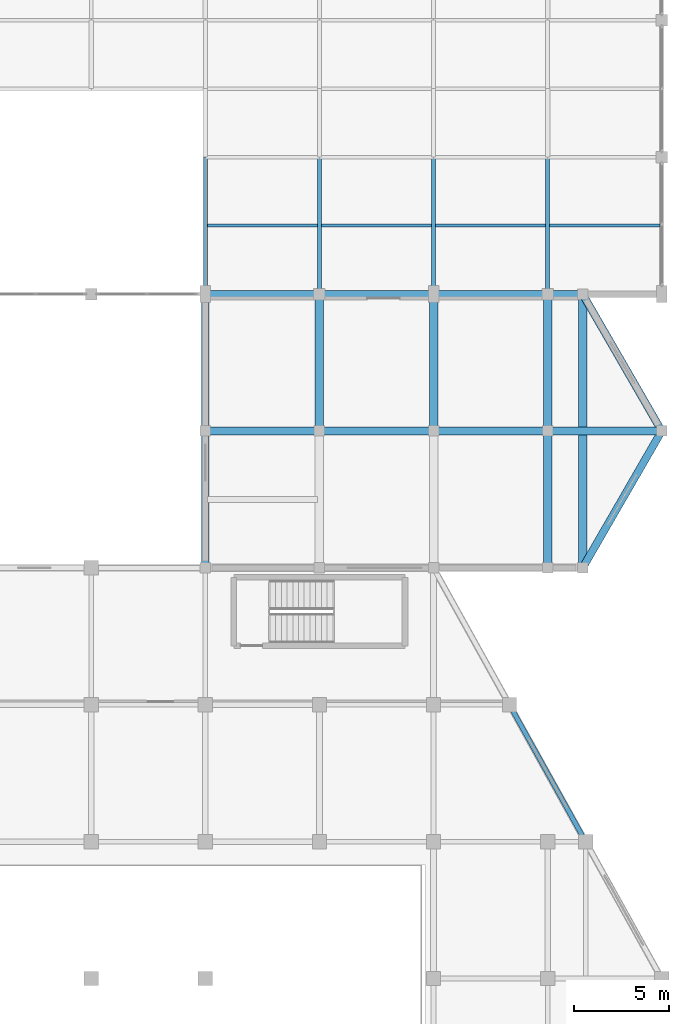
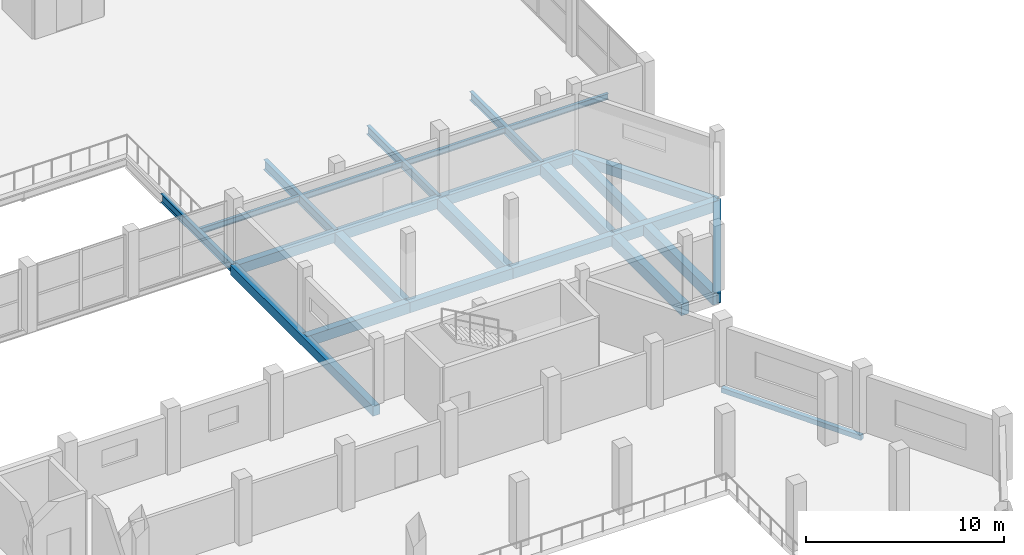
# One storey, part 74 of 127: 22 beams.
"""IFC4 building model written with IfcOpenShell, lengths in metres."""

import ifcopenshell
import ifcopenshell.guid

model = None  # the IFC model being written
_history = None  # IfcOwnerHistory: only IFC2X3 demands one
_inside = {}  # id of a spatial element -> (the spatial element, [elements in it])
_under = {}  # id of a project, library or spatial element -> (it, [spatial elements below it])
_declared = {}  # id of a project -> (the project, [libraries it declares])
_typed = {}  # id of a type object -> (the type object, [elements of that type])
_made_of = {}  # id of a material, layer set ... -> (it, [elements and type objects made of it])


def new_model(schema):
    """Start an empty IFC model of exactly this schema.

    Asked for "IFC4X3", IfcOpenShell would pick the latest addendum, in which some entities
    have other attributes; the version numbers below select the first issue.
    IFC2X3 requires an IfcOwnerHistory on every rooted entity: one is made here for all.
    """
    global model, _history
    if schema == "IFC4X3":
        model = ifcopenshell.file(schema_version=(4, 3, 0, 0))
    else:
        model = ifcopenshell.file(schema=schema)
    _inside.clear()
    _under.clear()
    _declared.clear()
    _typed.clear()
    _made_of.clear()
    _history = None
    if model.schema == "IFC2X3":
        org = make("IfcOrganization", Name="unknown")
        user = make(
            "IfcPersonAndOrganization",
            ThePerson=make("IfcPerson", FamilyName="unknown"),
            TheOrganization=org,
        )
        app = make(
            "IfcApplication",
            ApplicationDeveloper=org,
            Version="unknown",
            ApplicationFullName="unknown",
            ApplicationIdentifier="unknown",
        )
        _history = make(
            "IfcOwnerHistory",
            OwningUser=user,
            OwningApplication=app,
            ChangeAction="ADDED",
            CreationDate=0,
        )
    return model


def make(cls, **values):
    """One entity of the class cls with the attributes given. An attribute that is None is left unset."""
    return model.create_entity(
        cls, **{name: value for name, value in values.items() if value is not None}
    )


def rooted(cls, **values):
    """An entity with a GlobalId (a new one), such as an element, a storey or a relation."""
    return make(cls, GlobalId=ifcopenshell.guid.new(), OwnerHistory=_history, **values)


def si_unit(unit_type, name, prefix=None):
    """IfcSIUnit, for example si_unit("LENGTHUNIT", "METRE", prefix="MILLI")."""
    return make("IfcSIUnit", UnitType=unit_type, Prefix=prefix, Name=name)


def assignment(units):
    """IfcUnitAssignment: the units of a project."""
    return None if units is None else make("IfcUnitAssignment", Units=units)


def point(xyz):
    """IfcCartesianPoint."""
    return None if xyz is None else make("IfcCartesianPoint", Coordinates=xyz)


def direction(xyz):
    """IfcDirection."""
    return None if xyz is None else make("IfcDirection", DirectionRatios=xyz)


def frame(location, z_axis=None, x_axis=None):
    """IfcAxis2Placement3D, a coordinate frame: its origin and axes. An axis left out is left unset."""
    return make(
        "IfcAxis2Placement3D",
        Location=point(location),
        Axis=direction(z_axis),
        RefDirection=direction(x_axis),
    )


def frame_2d(location, x_axis=None):
    """IfcAxis2Placement2D, a coordinate frame in the plane: its origin and x axis."""
    return make(
        "IfcAxis2Placement2D", Location=point(location), RefDirection=direction(x_axis)
    )


def origin():
    """The frame at (0, 0, 0) with its axes left unset."""
    return frame((0.0, 0.0, 0.0))


def origin_2d():
    """The frame at (0, 0) in the plane with its x axis left unset."""
    return frame_2d((0.0, 0.0))


def place(relative_to, where):
    """IfcLocalPlacement: puts the frame where relative to a parent placement (None: the world)."""
    return make(
        "IfcLocalPlacement", PlacementRelTo=relative_to, RelativePlacement=where
    )


def context(
    kind, dimensions, precision=None, world=None, true_north=None, identifier=None
):
    """IfcGeometricRepresentationContext, for example the 3D "Model" context."""
    return make(
        "IfcGeometricRepresentationContext",
        ContextIdentifier=identifier,
        ContextType=kind,
        CoordinateSpaceDimension=dimensions,
        Precision=precision,
        WorldCoordinateSystem=world,
        TrueNorth=true_north,
    )


def subcontext(parent, identifier, kind, view, scale=None):
    """IfcGeometricRepresentationSubContext, for example "Body" below "Model"."""
    return make(
        "IfcGeometricRepresentationSubContext",
        ContextIdentifier=identifier,
        ContextType=kind,
        ParentContext=parent,
        TargetScale=scale,
        TargetView=view,
    )


def project(units=None, contexts=None):
    """IfcProject with its units and contexts."""
    return rooted(
        "IfcProject",
        Name="project",
        RepresentationContexts=contexts,
        UnitsInContext=assignment(units),
    )


def spatial(cls, under=None, at=None, **own):
    """A site, building, storey or space (cls), placed at a placement, below another one or the project."""
    s = rooted(cls, ObjectPlacement=at, **own)
    if under is not None:
        _under.setdefault(under.id(), (under, []))[1].append(s)
    return s


def profile(cls, at=None, kind="AREA", **sizes):
    """A parametric profile (cls). Its sizes go by their IFC names, for example OverallWidth=200.0."""
    return make(cls, ProfileType=kind, Position=at, **sizes)


def rectangle(**sizes):
    """IfcRectangleProfileDef."""
    return profile("IfcRectangleProfileDef", **sizes)


def i_section(**sizes):
    """IfcIShapeProfileDef."""
    return profile("IfcIShapeProfileDef", **sizes)


def extrude(swept, where, along, depth):
    """IfcExtrudedAreaSolid: the profile swept, set in the frame where, extruded along a direction by depth."""
    return make(
        "IfcExtrudedAreaSolid",
        SweptArea=swept,
        Position=where,
        ExtrudedDirection=direction(along),
        Depth=depth,
    )


def shape(context_of_items, identifier, shape_type, items):
    """IfcShapeRepresentation: the items that make up one representation, for example the "Body"."""
    return make(
        "IfcShapeRepresentation",
        ContextOfItems=context_of_items,
        RepresentationIdentifier=identifier,
        RepresentationType=shape_type,
        Items=items,
    )


def material(Name=None, Category=None):
    """IfcMaterial."""
    return make("IfcMaterial", Name=Name, Category=Category)


def material_profile(
    of_material, cross_section, Name=None, Category=None, Priority=None
):
    """IfcMaterialProfile: a cross section and its material."""
    return make(
        "IfcMaterialProfile",
        Name=Name,
        Material=of_material,
        Profile=cross_section,
        Priority=Priority,
        Category=Category,
    )


def profile_set(profiles, Name=None, composite=None):
    """IfcMaterialProfileSet."""
    return make(
        "IfcMaterialProfileSet",
        Name=Name,
        MaterialProfiles=profiles,
        CompositeProfile=composite,
    )


def made_of(thing, what):
    """Note that an element or type object is made of a material, layer set ...; save() writes the relation."""
    if what is not None:
        _made_of.setdefault(what.id(), (what, []))[1].append(thing)
    return thing


def type_object(cls, material=None, **own):
    """A type object (cls), such as IfcWallType, which elements share."""
    return made_of(rooted(cls, **own), material)


def element(
    cls,
    number,
    at=None,
    inside=None,
    cuts=None,
    type_object=None,
    material=None,
    context=None,
    identifier="Body",
    shape_type=None,
    held_by="IfcProductDefinitionShape",
    body=None,
    shapes=None,
    **own,
):
    """One element of the class cls, such as IfcWall. Its Tag is "e" and its number.

    at: its placement. inside: the storey or other place that contains it. cuts: it is an
    opening in that element (IfcRelVoidsElement). A single representation is given by context,
    identifier, shape_type and body (its items); several are given by shapes. held_by: the class
    of the entity that holds the representations. save() writes the other relations.
    """
    e = rooted(cls, Tag="e%d" % number, ObjectPlacement=at, **own)
    if body is not None:
        shapes = [shape(context, identifier, shape_type, body)]
    if shapes is not None:
        e.Representation = make(held_by, Representations=shapes)
    if inside is not None:
        _inside.setdefault(inside.id(), (inside, []))[1].append(e)
    if cuts is not None:
        rooted(
            "IfcRelVoidsElement", RelatingBuildingElement=cuts, RelatedOpeningElement=e
        )
    if type_object is not None:
        _typed.setdefault(type_object.id(), (type_object, []))[1].append(e)
    return made_of(e, material)


def aggregate(whole, parts):
    """IfcRelAggregates: a whole, such as a stair, and the parts it consists of."""
    return rooted("IfcRelAggregates", RelatingObject=whole, RelatedObjects=parts)


def save(model, path):
    """Write the relations noted so far, then the file.

    IfcRelAggregates (storeys below a building ...), IfcRelContainedInSpatialStructure (elements
    in a storey), IfcRelDefinesByType, IfcRelAssociatesMaterial and IfcRelDeclares: one each for
    every whole, place, type object, material and project.
    """
    for whole, parts in _under.values():
        aggregate(whole, parts)
    for where, things in _inside.values():
        rooted(
            "IfcRelContainedInSpatialStructure",
            RelatedElements=things,
            RelatingStructure=where,
        )
    for kind, things in _typed.values():
        rooted("IfcRelDefinesByType", RelatedObjects=things, RelatingType=kind)
    for what, things in _made_of.values():
        rooted("IfcRelAssociatesMaterial", RelatedObjects=things, RelatingMaterial=what)
    for by, libraries in _declared.values():
        rooted("IfcRelDeclares", RelatingContext=by, RelatedDefinitions=libraries)
    model.write(path)


model = new_model("IFC4")

# Units and contexts
model_context = context("Model", 3, precision=1e-05, world=origin(), true_north=direction((0.0, 1.0)))
body_context = subcontext(model_context, "Body", "Model", "MODEL_VIEW")
ifc_project = project(units=[si_unit("LENGTHUNIT", "METRE"), si_unit("AREAUNIT", "SQUARE_METRE"), si_unit("VOLUMEUNIT", "CUBIC_METRE"), si_unit("PLANEANGLEUNIT", "RADIAN"), si_unit("MASSUNIT", "GRAM", prefix="KILO")], contexts=[model_context])

# Site, building, storey
site_placement = place(None, origin())
site = spatial("IfcSite", under=ifc_project, at=site_placement, CompositionType="ELEMENT")
building_placement = place(site_placement, origin())
building = spatial("IfcBuilding", under=site, at=building_placement, Name="Dunvalen Ferry Terminal", CompositionType="ELEMENT")
storey_placement = place(building_placement, frame((0.0, 0.0, 5.760009765625)))
storey = spatial("IfcBuildingStorey", under=building, at=storey_placement, Name="L01", CompositionType="ELEMENT", Elevation=5.760009765625)

# Beams
ifc_material_1 = material(Name="Concrete C35/45", Category="concrete")
ifc_material_profile_1 = material_profile(ifc_material_1, rectangle(XDim=0.39990234375, YDim=0.60009765625, at=origin_2d()), Name="Concrete C35/45")
ifc_profile_set_1 = profile_set([ifc_material_profile_1], Name="Concrete C35/45")
beam_type_1 = type_object("IfcBeamType", Name="STR-BM-RCB600", PredefinedType="BEAM", material=ifc_profile_set_1)
beam_1_placement = place(storey_placement, frame((163.843017578125, 43.199951171875, -0.56005859375), z_axis=(0.500007999416, 0.86602078527, 0.0), x_axis=(-0.86602078527, 0.500007999416, 0.0)))
element("IfcBeam", 1, at=beam_1_placement, inside=storey, type_object=beam_type_1, Name="L01 Customs Annex Ring Beam 02", PredefinedType="BEAM", context=body_context, shape_type="SweptSolid", body=[
    extrude(rectangle(XDim=0.39990234375, YDim=0.60009765625, at=origin_2d()), origin(), (0.0, 0.0, 1.0), 8.313720703125),
])
beam_2_placement = place(storey_placement, frame((168.0, 50.39990234375, -0.56005859375), z_axis=(-0.499995283874, 0.866028126624, 0.0), x_axis=(-0.866028126624, -0.499995283874, 0.0)))
element("IfcBeam", 2, at=beam_2_placement, inside=storey, type_object=beam_type_1, Name="L01 Customs Annex Ring Beam 03", PredefinedType="BEAM", context=body_context, shape_type="SweptSolid", body=[
    extrude(rectangle(XDim=0.39990234375, YDim=0.60009765625, at=origin_2d()), origin(), (0.0, 0.0, 1.0), 8.31396484375),
])
beam_3_placement = place(storey_placement, frame((163.843017578125, 57.60009765625, -0.56005859375), z_axis=(-1.0, 0.0, 0.0), x_axis=(0.0, -1.0, 0.0)))
element("IfcBeam", 3, at=beam_3_placement, inside=storey, type_object=beam_type_1, Name="L01 Customs Annex Ring Beam 04", PredefinedType="BEAM", context=body_context, shape_type="SweptSolid", body=[
    extrude(rectangle(XDim=0.39990234375, YDim=0.60009765625, at=origin_2d()), origin(), (0.0, 0.0, 1.0), 19.843017578125),
])
beam_4_placement = place(storey_placement, frame((144.0, 57.60009765625, -0.56005859375), z_axis=(0.0, -1.0, 0.0), x_axis=(1.0, 0.0, 0.0)))
element("IfcBeam", 4, at=beam_4_placement, inside=storey, type_object=beam_type_1, Name="L01 Customs Annex Ring Beam 05", PredefinedType="BEAM", context=body_context, shape_type="SweptSolid", body=[
    extrude(rectangle(XDim=0.39990234375, YDim=0.60009765625, at=origin_2d()), origin(), (0.0, 0.0, 1.0), 14.400146484375),
])
ifc_material_2 = material(Name="Concrete C40/50", Category="concrete")
ifc_material_profile_2 = material_profile(ifc_material_2, rectangle(XDim=0.39990234375, YDim=0.64990234375, at=origin_2d()), Name="Concrete C40/50")
ifc_profile_set_2 = profile_set([ifc_material_profile_2], Name="Concrete C40/50")
beam_type_2 = type_object("IfcBeamType", Name="STR-BM-RCB650", PredefinedType="BEAM", material=ifc_profile_set_2)
for number, where, z_axis, x_axis, name in (
    (5, (144.0, 50.39990234375, -0.5849609375), (1.0, 0.0, 0.0), (0.0, 1.0, 0.0), "L01 V2A Primary Beam X-005"),
    (6, (150.0, 50.39990234375, -0.5849609375), (1.0, 0.0, 0.0), (0.0, 1.0, 0.0), "L01 V2A Primary Beam X-006"),
    (7, (156.0, 50.39990234375, -0.5849609375), (1.0, 0.0, 0.0), (0.0, 1.0, 0.0), "L01 V2A Primary Beam X-007"),
    (8, (162.0, 50.39990234375, -0.5849609375), (1.0, 0.0, 0.0), (0.0, 1.0, 0.0), "L01 V2A Primary Beam X-008"),
):
    element("IfcBeam", number, at=place(storey_placement, frame(where, z_axis=z_axis, x_axis=x_axis)), inside=storey, type_object=beam_type_2, Name=name, PredefinedType="BEAM", context=body_context, shape_type="SweptSolid", body=[
        extrude(rectangle(XDim=0.39990234375, YDim=0.64990234375, at=origin_2d()), origin(), (0.0, 0.0, 1.0), 6.0),
    ])
ifc_material_profile_3 = material_profile(ifc_material_2, rectangle(XDim=0.449951171875, YDim=0.699951171875, at=origin_2d()), Name="Concrete C40/50")
ifc_profile_set_3 = profile_set([ifc_material_profile_3], Name="Concrete C40/50")
beam_type_3 = type_object("IfcBeamType", Name="STR-BM-RCB700", PredefinedType="BEAM", material=ifc_profile_set_3)
for number, where, z_axis, x_axis, name in (
    (9, (150.0, 50.39990234375, -0.610107421875), (0.0, 1.0, 0.0), (-1.0, 0.0, 0.0), "L01 V2A Primary Girder Y-016"),
    (10, (156.0, 50.39990234375, -0.610107421875), (0.0, 1.0, 0.0), (-1.0, 0.0, 0.0), "L01 V2A Primary Girder Y-018"),
):
    element("IfcBeam", number, at=place(storey_placement, frame(where, z_axis=z_axis, x_axis=x_axis)), inside=storey, type_object=beam_type_3, Name=name, PredefinedType="BEAM", context=body_context, shape_type="SweptSolid", body=[
        extrude(rectangle(XDim=0.449951171875, YDim=0.699951171875, at=origin_2d()), origin(), (0.0, 0.0, 1.0), 7.2001953125),
    ])
beam_5_placement = place(storey_placement, frame((162.0, 43.199951171875, -0.610107421875), z_axis=(0.0, 1.0, 0.0), x_axis=(-1.0, 0.0, 0.0)))
element("IfcBeam", 11, at=beam_5_placement, inside=storey, type_object=beam_type_3, Name="L01 V2A Primary Girder Y-019", PredefinedType="BEAM", context=body_context, shape_type="SweptSolid", body=[
    extrude(rectangle(XDim=0.449951171875, YDim=0.699951171875, at=origin_2d()), origin(), (0.0, 0.0, 1.0), 7.199951171875),
])
beam_6_placement = place(storey_placement, frame((162.0, 50.39990234375, -0.610107421875), z_axis=(0.0, 1.0, 0.0), x_axis=(-1.0, 0.0, 0.0)))
element("IfcBeam", 12, at=beam_6_placement, inside=storey, type_object=beam_type_3, Name="L01 V2A Primary Girder Y-020", PredefinedType="BEAM", context=body_context, shape_type="SweptSolid", body=[
    extrude(rectangle(XDim=0.449951171875, YDim=0.699951171875, at=origin_2d()), origin(), (0.0, 0.0, 1.0), 7.2001953125),
])
beam_7_placement = place(storey_placement, frame((163.843017578125, 43.199951171875, -0.610107421875), z_axis=(0.0, 1.0, 0.0), x_axis=(-1.0, 0.0, 0.0)))
element("IfcBeam", 13, at=beam_7_placement, inside=storey, type_object=beam_type_3, Name="L01 V2A Primary Girder Y-021", PredefinedType="BEAM", context=body_context, shape_type="SweptSolid", body=[
    extrude(rectangle(XDim=0.449951171875, YDim=0.699951171875, at=origin_2d()), origin(), (0.0, 0.0, 1.0), 14.400146484375),
])
ifc_material_profile_4 = material_profile(ifc_material_1, rectangle(XDim=0.25, YDim=0.300048828125, at=origin_2d()), Name="Concrete C35/45")
ifc_profile_set_4 = profile_set([ifc_material_profile_4], Name="Concrete C35/45")
beam_type_4 = type_object("IfcBeamType", Name="STR-BM-RCL300", PredefinedType="LINTEL", material=ifc_profile_set_4)
beam_8_placement = place(storey_placement, frame((164.0, 28.800048828125, -0.469970703125), z_axis=(-0.485645447903, 0.874155877937, 0.0), x_axis=(-0.874155877937, -0.485645447903, 0.0)))
element("IfcBeam", 14, at=beam_8_placement, inside=storey, type_object=beam_type_4, Name="L01 Hexagon-Cut Wing Perimeter Beam 5", PredefinedType="LINTEL", context=body_context, shape_type="SweptSolid", body=[
    extrude(rectangle(XDim=0.25, YDim=0.300048828125, at=origin_2d()), origin(), (0.0, 0.0, 1.0), 8.236572265625),
])
ifc_material_3 = material(Name="Steel S355", Category="steel")
ifc_material_profile_5 = material_profile(ifc_material_3, i_section(OverallWidth=0.17138671875, OverallDepth=0.35498046875, WebThickness=0.00732421875, FlangeThickness=0.011474609375, FilletRadius=0.01025390625, at=origin_2d()), Name="Steel S355")
ifc_profile_set_5 = profile_set([ifc_material_profile_5], Name="Steel S355")
beam_type_5 = type_object("IfcBeamType", Name="STR-BM-UKB356", PredefinedType="JOIST", material=ifc_profile_set_5)
for number, where, z_axis, x_axis, name in (
    (15, (144.10009765625, 61.199951171875, -0.4375), (1.0, 0.0, 0.0), (0.0, 1.0, 0.0), "L01 V2M Secondary Joist 009"),
    (16, (150.10009765625, 61.199951171875, -0.4375), (1.0, 0.0, 0.0), (0.0, 1.0, 0.0), "L01 V2M Secondary Joist 011"),
    (17, (156.10009765625, 61.199951171875, -0.4375), (1.0, 0.0, 0.0), (0.0, 1.0, 0.0), "L01 V2M Secondary Joist 013"),
    (18, (162.10009765625, 61.199951171875, -0.4375), (1.0, 0.0, 0.0), (0.0, 1.0, 0.0), "L01 V2M Secondary Joist 015"),
):
    element("IfcBeam", number, at=place(storey_placement, frame(where, z_axis=z_axis, x_axis=x_axis)), inside=storey, type_object=beam_type_5, Name=name, PredefinedType="JOIST", context=body_context, shape_type="SweptSolid", body=[
        extrude(i_section(OverallWidth=0.17138671875, OverallDepth=0.35498046875, WebThickness=0.00732421875, FlangeThickness=0.011474609375, FilletRadius=0.01025390625, at=origin_2d()), origin(), (0.0, 0.0, 1.0), 5.7998046875),
    ])
ifc_material_profile_6 = material_profile(ifc_material_3, i_section(OverallWidth=0.209228515625, OverallDepth=0.533203125, WebThickness=0.010009765625, FlangeThickness=0.015625, FilletRadius=0.0126953125, at=origin_2d()), Name="Steel S355")
ifc_profile_set_6 = profile_set([ifc_material_profile_6], Name="Steel S355")
beam_type_6 = type_object("IfcBeamType", Name="STR-BM-UKB533", PredefinedType="BEAM", material=ifc_profile_set_6)
for number, where, z_axis, x_axis, name in (
    (19, (144.0, 57.60009765625, -0.526611328125), (0.0, 1.0, 0.0), (-1.0, 0.0, 0.0), "L01 V2M Primary Girder Y-056"),
    (20, (156.0, 57.60009765625, -0.526611328125), (0.0, 1.0, 0.0), (-1.0, 0.0, 0.0), "L01 V2M Primary Girder Y-066"),
    (21, (162.0, 57.60009765625, -0.526611328125), (0.0, 1.0, 0.0), (-1.0, 0.0, 0.0), "L01 V2M Primary Girder Y-070"),
):
    element("IfcBeam", number, at=place(storey_placement, frame(where, z_axis=z_axis, x_axis=x_axis)), inside=storey, type_object=beam_type_6, Name=name, PredefinedType="BEAM", context=body_context, shape_type="SweptSolid", body=[
        extrude(i_section(OverallWidth=0.209228515625, OverallDepth=0.533203125, WebThickness=0.010009765625, FlangeThickness=0.015625, FilletRadius=0.0126953125, at=origin_2d()), origin(), (0.0, 0.0, 1.0), 7.199951171875),
    ])
ifc_material_profile_7 = material_profile(ifc_material_3, i_section(OverallWidth=0.228271484375, OverallDepth=0.607666015625, WebThickness=0.010986328125, FlangeThickness=0.017333984375, FilletRadius=0.0126953125, at=origin_2d()), Name="Steel S355")
ifc_profile_set_7 = profile_set([ifc_material_profile_7], Name="Steel S355")
beam_type_7 = type_object("IfcBeamType", Name="STR-BM-UKB610", PredefinedType="BEAM", material=ifc_profile_set_7)
beam_9_placement = place(storey_placement, frame((150.0, 57.60009765625, -0.563720703125), z_axis=(0.0, 1.0, 0.0), x_axis=(-1.0, 0.0, 0.0)))
element("IfcBeam", 22, at=beam_9_placement, inside=storey, type_object=beam_type_7, Name="L01 V2M Primary Girder Y-061", PredefinedType="BEAM", context=body_context, shape_type="SweptSolid", body=[
    extrude(i_section(OverallWidth=0.228271484375, OverallDepth=0.607666015625, WebThickness=0.010986328125, FlangeThickness=0.017333984375, FilletRadius=0.0126953125, at=origin_2d()), origin(), (0.0, 0.0, 1.0), 7.199951171875),
])

save(model, "model.ifc")
